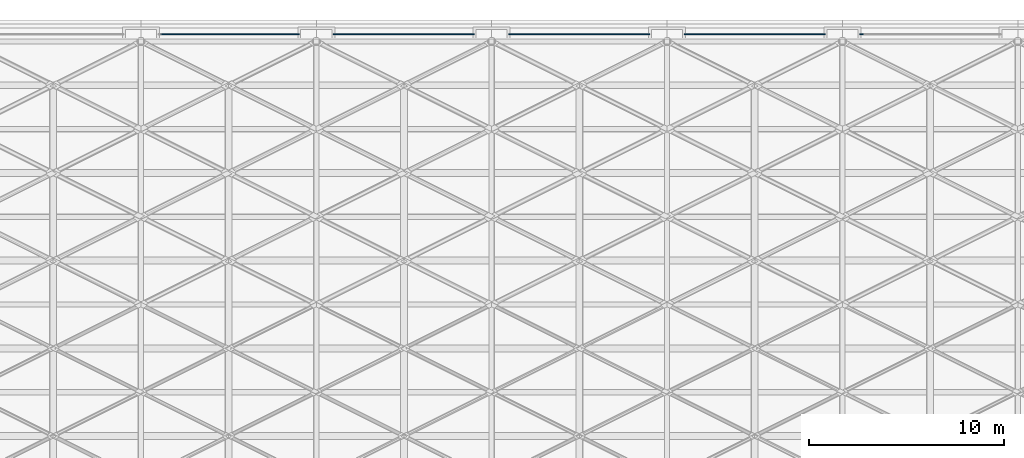
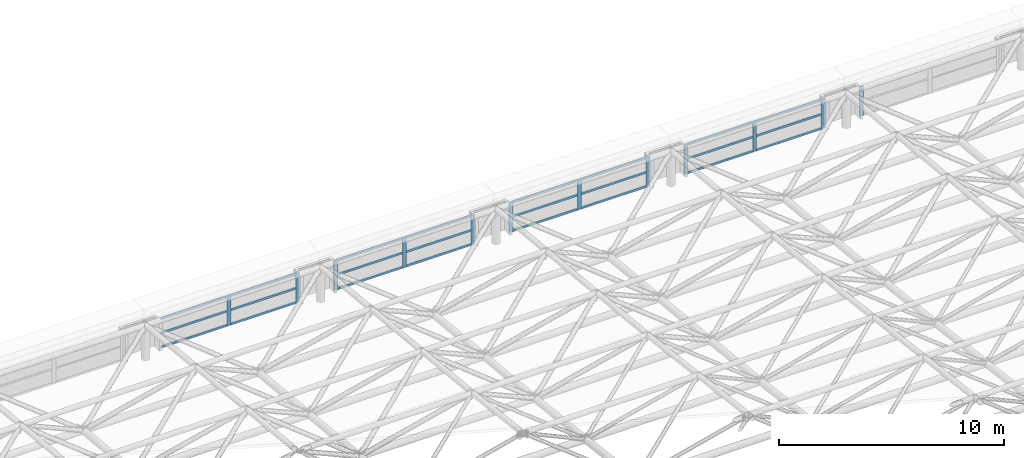
# One storey, part 21 of 53: 36 members, 5 elements without a shape of their own.
"""IFC4 building model written with IfcOpenShell, lengths in metres."""

from ifc_helpers import new_model, si_unit, direction, frame, origin, origin_2d, place, context, subcontext, project, spatial, rectangle, extrude, material, material_profile, profile_set, type_object, element, aggregate, save


model = new_model("IFC4")

# Units and contexts
model_context = context("Model", 3, precision=1e-05, world=origin(), true_north=direction((0.0, 1.0)))
body_context = subcontext(model_context, "Body", "Model", "MODEL_VIEW")
ifc_project = project(units=[si_unit("LENGTHUNIT", "METRE"), si_unit("AREAUNIT", "SQUARE_METRE"), si_unit("VOLUMEUNIT", "CUBIC_METRE"), si_unit("PLANEANGLEUNIT", "RADIAN"), si_unit("MASSUNIT", "GRAM", prefix="KILO")], contexts=[model_context])

# Site, building, storey
site_placement = place(None, origin())
site = spatial("IfcSite", under=ifc_project, at=site_placement, CompositionType="ELEMENT")
building_placement = place(site_placement, origin())
building = spatial("IfcBuilding", under=site, at=building_placement, Name="Aravalli Gate Trade Fair Centre", CompositionType="ELEMENT")
storey_placement = place(building_placement, frame((0.0, 0.0, 25.199951171875)))
storey = spatial("IfcBuildingStorey", under=building, at=storey_placement, Name="ROOF LEVEL 2", CompositionType="ELEMENT", Elevation=25.199951171875)

# Curtain wall, members
ifc_material_1 = material(Name="Aluminium, glass and louvre", Category="aluminium")
curtain_wall_type = type_object("IfcCurtainWallType", Name="Hall crown curtain wall 3000 module", PredefinedType="NOTDEFINED", material=ifc_material_1)
curtain_wall_1_placement = place(storey_placement, origin())
curtain_wall_1 = element("IfcCurtainWall", 1, at=curtain_wall_1_placement, inside=storey, type_object=curtain_wall_type, Name="Hall north crown curtain wall bay 5 ROOF LEVEL 2", PredefinedType="NOTDEFINED")
ifc_material_2 = material(Name="Aluminium", Category="aluminium")
ifc_material_profile_1 = material_profile(ifc_material_2, rectangle(XDim=0.06005859375, YDim=0.199951171875, at=origin_2d()), Name="Hall curtain wall mullion 60 x 200")
ifc_profile_set_1 = profile_set([ifc_material_profile_1], Name="Aluminium")
member_type_1 = type_object("IfcMemberType", Name="Hall curtain wall mullion 60 x 200", PredefinedType="MULLION", material=ifc_profile_set_1)
member_1_placement = place(storey_placement, frame((46.5, 109.375, 0.0), z_axis=(0.0, 0.0, 1.0), x_axis=(0.0, 1.0, 0.0)))
member_1 = element("IfcMember", 2, at=member_1_placement, type_object=member_type_1, Name="HCW1 mullion 2", PredefinedType="MULLION", context=body_context, shape_type="SweptSolid", body=[
    extrude(rectangle(XDim=0.06005859375, YDim=0.199951171875, at=origin_2d()), origin(), (0.0, 0.0, 1.0), 1.60009765625),
])
member_2_placement = place(storey_placement, frame((50.02001953125, 109.375, 0.0), z_axis=(0.0, 0.0, 1.0), x_axis=(0.0, 1.0, 0.0)))
member_2 = element("IfcMember", 3, at=member_2_placement, type_object=member_type_1, Name="HCW1 mullion 3", PredefinedType="MULLION", context=body_context, shape_type="SweptSolid", body=[
    extrude(rectangle(XDim=0.06005859375, YDim=0.199951171875, at=origin_2d()), origin(), (0.0, 0.0, 1.0), 1.60009765625),
])

curtain_wall_2_placement = place(storey_placement, origin())
curtain_wall_2 = element("IfcCurtainWall", 4, at=curtain_wall_2_placement, inside=storey, type_object=curtain_wall_type, Name="Hall north crown curtain wall bay 6 ROOF LEVEL 2", PredefinedType="NOTDEFINED")
member_3_placement = place(storey_placement, frame((51.97998046875, 109.375, 0.0), z_axis=(0.0, 0.0, 1.0), x_axis=(0.0, 1.0, 0.0)))
member_3 = element("IfcMember", 5, at=member_3_placement, type_object=member_type_1, Name="HCW1 mullion 1", PredefinedType="MULLION", context=body_context, shape_type="SweptSolid", body=[
    extrude(rectangle(XDim=0.06005859375, YDim=0.199951171875, at=origin_2d()), origin(), (0.0, 0.0, 1.0), 1.60009765625),
])
member_4_placement = place(storey_placement, frame((55.5, 109.375, 0.0), z_axis=(0.0, 0.0, 1.0), x_axis=(0.0, 1.0, 0.0)))
member_4 = element("IfcMember", 6, at=member_4_placement, type_object=member_type_1, Name="HCW1 mullion 2", PredefinedType="MULLION", context=body_context, shape_type="SweptSolid", body=[
    extrude(rectangle(XDim=0.06005859375, YDim=0.199951171875, at=origin_2d()), origin(), (0.0, 0.0, 1.0), 1.60009765625),
])
member_5_placement = place(storey_placement, frame((59.02001953125, 109.375, 0.0), z_axis=(0.0, 0.0, 1.0), x_axis=(0.0, 1.0, 0.0)))
member_5 = element("IfcMember", 7, at=member_5_placement, type_object=member_type_1, Name="HCW1 mullion 3", PredefinedType="MULLION", context=body_context, shape_type="SweptSolid", body=[
    extrude(rectangle(XDim=0.06005859375, YDim=0.199951171875, at=origin_2d()), origin(), (0.0, 0.0, 1.0), 1.60009765625),
])

curtain_wall_3_placement = place(storey_placement, origin())
curtain_wall_3 = element("IfcCurtainWall", 8, at=curtain_wall_3_placement, inside=storey, type_object=curtain_wall_type, Name="Hall north crown curtain wall bay 7 ROOF LEVEL 2", PredefinedType="NOTDEFINED")
member_6_placement = place(storey_placement, frame((60.97998046875, 109.375, 0.0), z_axis=(0.0, 0.0, 1.0), x_axis=(0.0, 1.0, 0.0)))
member_6 = element("IfcMember", 9, at=member_6_placement, type_object=member_type_1, Name="HCW1 mullion 1", PredefinedType="MULLION", context=body_context, shape_type="SweptSolid", body=[
    extrude(rectangle(XDim=0.06005859375, YDim=0.199951171875, at=origin_2d()), origin(), (0.0, 0.0, 1.0), 1.60009765625),
])
member_7_placement = place(storey_placement, frame((64.5, 109.375, 0.0), z_axis=(0.0, 0.0, 1.0), x_axis=(0.0, 1.0, 0.0)))
member_7 = element("IfcMember", 10, at=member_7_placement, type_object=member_type_1, Name="HCW1 mullion 2", PredefinedType="MULLION", context=body_context, shape_type="SweptSolid", body=[
    extrude(rectangle(XDim=0.06005859375, YDim=0.199951171875, at=origin_2d()), origin(), (0.0, 0.0, 1.0), 1.60009765625),
])
member_8_placement = place(storey_placement, frame((68.02001953125, 109.375, 0.0), z_axis=(0.0, 0.0, 1.0), x_axis=(0.0, 1.0, 0.0)))
member_8 = element("IfcMember", 11, at=member_8_placement, type_object=member_type_1, Name="HCW1 mullion 3", PredefinedType="MULLION", context=body_context, shape_type="SweptSolid", body=[
    extrude(rectangle(XDim=0.06005859375, YDim=0.199951171875, at=origin_2d()), origin(), (0.0, 0.0, 1.0), 1.60009765625),
])

curtain_wall_4_placement = place(storey_placement, origin())
curtain_wall_4 = element("IfcCurtainWall", 12, at=curtain_wall_4_placement, inside=storey, type_object=curtain_wall_type, Name="Hall north crown curtain wall bay 8 ROOF LEVEL 2", PredefinedType="NOTDEFINED")
member_9_placement = place(storey_placement, frame((69.97998046875, 109.375, 0.0), z_axis=(0.0, 0.0, 1.0), x_axis=(0.0, 1.0, 0.0)))
member_9 = element("IfcMember", 13, at=member_9_placement, type_object=member_type_1, Name="HCW1 mullion 1", PredefinedType="MULLION", context=body_context, shape_type="SweptSolid", body=[
    extrude(rectangle(XDim=0.06005859375, YDim=0.199951171875, at=origin_2d()), origin(), (0.0, 0.0, 1.0), 1.60009765625),
])
member_10_placement = place(storey_placement, frame((73.5, 109.375, 0.0), z_axis=(0.0, 0.0, 1.0), x_axis=(0.0, 1.0, 0.0)))
member_10 = element("IfcMember", 14, at=member_10_placement, type_object=member_type_1, Name="HCW1 mullion 2", PredefinedType="MULLION", context=body_context, shape_type="SweptSolid", body=[
    extrude(rectangle(XDim=0.06005859375, YDim=0.199951171875, at=origin_2d()), origin(), (0.0, 0.0, 1.0), 1.60009765625),
])
member_11_placement = place(storey_placement, frame((77.02001953125, 109.375, 0.0), z_axis=(0.0, 0.0, 1.0), x_axis=(0.0, 1.0, 0.0)))
member_11 = element("IfcMember", 15, at=member_11_placement, type_object=member_type_1, Name="HCW1 mullion 3", PredefinedType="MULLION", context=body_context, shape_type="SweptSolid", body=[
    extrude(rectangle(XDim=0.06005859375, YDim=0.199951171875, at=origin_2d()), origin(), (0.0, 0.0, 1.0), 1.60009765625),
])

# Curtain wall, member
curtain_wall_5_placement = place(storey_placement, origin())
curtain_wall_5 = element("IfcCurtainWall", 16, at=curtain_wall_5_placement, inside=storey, type_object=curtain_wall_type, Name="Hall north crown curtain wall bay 9 ROOF LEVEL 2", PredefinedType="NOTDEFINED")
member_12_placement = place(storey_placement, frame((78.97998046875, 109.375, 0.0), z_axis=(0.0, 0.0, 1.0), x_axis=(0.0, 1.0, 0.0)))
member_12 = element("IfcMember", 17, at=member_12_placement, type_object=member_type_1, Name="HCW1 mullion 1", PredefinedType="MULLION", context=body_context, shape_type="SweptSolid", body=[
    extrude(rectangle(XDim=0.06005859375, YDim=0.199951171875, at=origin_2d()), origin(), (0.0, 0.0, 1.0), 1.60009765625),
])
aggregate(curtain_wall_5, [member_12])

# Member
ifc_material_profile_2 = material_profile(ifc_material_2, rectangle(XDim=0.06005859375, YDim=0.1201171875, at=origin_2d()), Name="Hall curtain wall transom 60 x 120")
ifc_profile_set_2 = profile_set([ifc_material_profile_2], Name="Aluminium")
member_type_2 = type_object("IfcMemberType", Name="Hall curtain wall transom 60 x 120", PredefinedType="USERDEFINED", material=ifc_profile_set_2)
member_13_placement = place(storey_placement, frame((43.010009765625, 109.375, 0.030029296875), z_axis=(1.0, 0.0, 0.0), x_axis=(0.0, 1.0, 0.0)))
member_13 = element("IfcMember", 18, at=member_13_placement, type_object=member_type_2, Name="HCW1 transom 1.1", ObjectType="TRANSOM", PredefinedType="USERDEFINED", context=body_context, shape_type="SweptSolid", body=[
    extrude(rectangle(XDim=0.06005859375, YDim=0.1201171875, at=origin_2d()), origin(), (0.0, 0.0, 1.0), 3.4599609375),
])

member_14_placement = place(storey_placement, frame((43.010009765625, 109.375, 0.800048828125), z_axis=(1.0, 0.0, 0.0), x_axis=(0.0, 1.0, 0.0)))
member_14 = element("IfcMember", 19, at=member_14_placement, type_object=member_type_2, Name="HCW1 transom 1.2", ObjectType="TRANSOM", PredefinedType="USERDEFINED", context=body_context, shape_type="SweptSolid", body=[
    extrude(rectangle(XDim=0.06005859375, YDim=0.1201171875, at=origin_2d()), origin(), (0.0, 0.0, 1.0), 3.4599609375),
])

member_15_placement = place(storey_placement, frame((43.010009765625, 109.375, 1.570068359375), z_axis=(1.0, 0.0, 0.0), x_axis=(0.0, 1.0, 0.0)))
member_15 = element("IfcMember", 20, at=member_15_placement, type_object=member_type_2, Name="HCW1 transom 1.3", ObjectType="TRANSOM", PredefinedType="USERDEFINED", context=body_context, shape_type="SweptSolid", body=[
    extrude(rectangle(XDim=0.06005859375, YDim=0.1201171875, at=origin_2d()), origin(), (0.0, 0.0, 1.0), 3.4599609375),
])

member_16_placement = place(storey_placement, frame((46.530029296875, 109.375, 0.030029296875), z_axis=(1.0, 0.0, 0.0), x_axis=(0.0, 1.0, 0.0)))
member_16 = element("IfcMember", 21, at=member_16_placement, type_object=member_type_2, Name="HCW1 transom 2.1", ObjectType="TRANSOM", PredefinedType="USERDEFINED", context=body_context, shape_type="SweptSolid", body=[
    extrude(rectangle(XDim=0.06005859375, YDim=0.1201171875, at=origin_2d()), origin(), (0.0, 0.0, 1.0), 3.4599609375),
])

member_17_placement = place(storey_placement, frame((46.530029296875, 109.375, 0.800048828125), z_axis=(1.0, 0.0, 0.0), x_axis=(0.0, 1.0, 0.0)))
member_17 = element("IfcMember", 22, at=member_17_placement, type_object=member_type_2, Name="HCW1 transom 2.2", ObjectType="TRANSOM", PredefinedType="USERDEFINED", context=body_context, shape_type="SweptSolid", body=[
    extrude(rectangle(XDim=0.06005859375, YDim=0.1201171875, at=origin_2d()), origin(), (0.0, 0.0, 1.0), 3.4599609375),
])

member_18_placement = place(storey_placement, frame((46.530029296875, 109.375, 1.570068359375), z_axis=(1.0, 0.0, 0.0), x_axis=(0.0, 1.0, 0.0)))
member_18 = element("IfcMember", 23, at=member_18_placement, type_object=member_type_2, Name="HCW1 transom 2.3", ObjectType="TRANSOM", PredefinedType="USERDEFINED", context=body_context, shape_type="SweptSolid", body=[
    extrude(rectangle(XDim=0.06005859375, YDim=0.1201171875, at=origin_2d()), origin(), (0.0, 0.0, 1.0), 3.4599609375),
])

aggregate(curtain_wall_1, [member_1, member_2, member_13, member_14, member_15, member_16, member_17, member_18])

member_19_placement = place(storey_placement, frame((52.010009765625, 109.375, 0.030029296875), z_axis=(1.0, 0.0, 0.0), x_axis=(0.0, 1.0, 0.0)))
member_19 = element("IfcMember", 24, at=member_19_placement, type_object=member_type_2, Name="HCW1 transom 1.1", ObjectType="TRANSOM", PredefinedType="USERDEFINED", context=body_context, shape_type="SweptSolid", body=[
    extrude(rectangle(XDim=0.06005859375, YDim=0.1201171875, at=origin_2d()), origin(), (0.0, 0.0, 1.0), 3.4599609375),
])

member_20_placement = place(storey_placement, frame((52.010009765625, 109.375, 0.800048828125), z_axis=(1.0, 0.0, 0.0), x_axis=(0.0, 1.0, 0.0)))
member_20 = element("IfcMember", 25, at=member_20_placement, type_object=member_type_2, Name="HCW1 transom 1.2", ObjectType="TRANSOM", PredefinedType="USERDEFINED", context=body_context, shape_type="SweptSolid", body=[
    extrude(rectangle(XDim=0.06005859375, YDim=0.1201171875, at=origin_2d()), origin(), (0.0, 0.0, 1.0), 3.4599609375),
])

member_21_placement = place(storey_placement, frame((52.010009765625, 109.375, 1.570068359375), z_axis=(1.0, 0.0, 0.0), x_axis=(0.0, 1.0, 0.0)))
member_21 = element("IfcMember", 26, at=member_21_placement, type_object=member_type_2, Name="HCW1 transom 1.3", ObjectType="TRANSOM", PredefinedType="USERDEFINED", context=body_context, shape_type="SweptSolid", body=[
    extrude(rectangle(XDim=0.06005859375, YDim=0.1201171875, at=origin_2d()), origin(), (0.0, 0.0, 1.0), 3.4599609375),
])

member_22_placement = place(storey_placement, frame((55.530029296875, 109.375, 0.030029296875), z_axis=(1.0, 0.0, 0.0), x_axis=(0.0, 1.0, 0.0)))
member_22 = element("IfcMember", 27, at=member_22_placement, type_object=member_type_2, Name="HCW1 transom 2.1", ObjectType="TRANSOM", PredefinedType="USERDEFINED", context=body_context, shape_type="SweptSolid", body=[
    extrude(rectangle(XDim=0.06005859375, YDim=0.1201171875, at=origin_2d()), origin(), (0.0, 0.0, 1.0), 3.4599609375),
])

member_23_placement = place(storey_placement, frame((55.530029296875, 109.375, 0.800048828125), z_axis=(1.0, 0.0, 0.0), x_axis=(0.0, 1.0, 0.0)))
member_23 = element("IfcMember", 28, at=member_23_placement, type_object=member_type_2, Name="HCW1 transom 2.2", ObjectType="TRANSOM", PredefinedType="USERDEFINED", context=body_context, shape_type="SweptSolid", body=[
    extrude(rectangle(XDim=0.06005859375, YDim=0.1201171875, at=origin_2d()), origin(), (0.0, 0.0, 1.0), 3.4599609375),
])

member_24_placement = place(storey_placement, frame((55.530029296875, 109.375, 1.570068359375), z_axis=(1.0, 0.0, 0.0), x_axis=(0.0, 1.0, 0.0)))
member_24 = element("IfcMember", 29, at=member_24_placement, type_object=member_type_2, Name="HCW1 transom 2.3", ObjectType="TRANSOM", PredefinedType="USERDEFINED", context=body_context, shape_type="SweptSolid", body=[
    extrude(rectangle(XDim=0.06005859375, YDim=0.1201171875, at=origin_2d()), origin(), (0.0, 0.0, 1.0), 3.4599609375),
])

aggregate(curtain_wall_2, [member_3, member_4, member_5, member_19, member_20, member_21, member_22, member_23, member_24])

member_25_placement = place(storey_placement, frame((61.010009765625, 109.375, 0.030029296875), z_axis=(1.0, 0.0, 0.0), x_axis=(0.0, 1.0, 0.0)))
member_25 = element("IfcMember", 30, at=member_25_placement, type_object=member_type_2, Name="HCW1 transom 1.1", ObjectType="TRANSOM", PredefinedType="USERDEFINED", context=body_context, shape_type="SweptSolid", body=[
    extrude(rectangle(XDim=0.06005859375, YDim=0.1201171875, at=origin_2d()), origin(), (0.0, 0.0, 1.0), 3.4599609375),
])

member_26_placement = place(storey_placement, frame((61.010009765625, 109.375, 0.800048828125), z_axis=(1.0, 0.0, 0.0), x_axis=(0.0, 1.0, 0.0)))
member_26 = element("IfcMember", 31, at=member_26_placement, type_object=member_type_2, Name="HCW1 transom 1.2", ObjectType="TRANSOM", PredefinedType="USERDEFINED", context=body_context, shape_type="SweptSolid", body=[
    extrude(rectangle(XDim=0.06005859375, YDim=0.1201171875, at=origin_2d()), origin(), (0.0, 0.0, 1.0), 3.4599609375),
])

member_27_placement = place(storey_placement, frame((61.010009765625, 109.375, 1.570068359375), z_axis=(1.0, 0.0, 0.0), x_axis=(0.0, 1.0, 0.0)))
member_27 = element("IfcMember", 32, at=member_27_placement, type_object=member_type_2, Name="HCW1 transom 1.3", ObjectType="TRANSOM", PredefinedType="USERDEFINED", context=body_context, shape_type="SweptSolid", body=[
    extrude(rectangle(XDim=0.06005859375, YDim=0.1201171875, at=origin_2d()), origin(), (0.0, 0.0, 1.0), 3.4599609375),
])

member_28_placement = place(storey_placement, frame((64.530029296875, 109.375, 0.030029296875), z_axis=(1.0, 0.0, 0.0), x_axis=(0.0, 1.0, 0.0)))
member_28 = element("IfcMember", 33, at=member_28_placement, type_object=member_type_2, Name="HCW1 transom 2.1", ObjectType="TRANSOM", PredefinedType="USERDEFINED", context=body_context, shape_type="SweptSolid", body=[
    extrude(rectangle(XDim=0.06005859375, YDim=0.1201171875, at=origin_2d()), origin(), (0.0, 0.0, 1.0), 3.4599609375),
])

member_29_placement = place(storey_placement, frame((64.530029296875, 109.375, 0.800048828125), z_axis=(1.0, 0.0, 0.0), x_axis=(0.0, 1.0, 0.0)))
member_29 = element("IfcMember", 34, at=member_29_placement, type_object=member_type_2, Name="HCW1 transom 2.2", ObjectType="TRANSOM", PredefinedType="USERDEFINED", context=body_context, shape_type="SweptSolid", body=[
    extrude(rectangle(XDim=0.06005859375, YDim=0.1201171875, at=origin_2d()), origin(), (0.0, 0.0, 1.0), 3.4599609375),
])

member_30_placement = place(storey_placement, frame((64.530029296875, 109.375, 1.570068359375), z_axis=(1.0, 0.0, 0.0), x_axis=(0.0, 1.0, 0.0)))
member_30 = element("IfcMember", 35, at=member_30_placement, type_object=member_type_2, Name="HCW1 transom 2.3", ObjectType="TRANSOM", PredefinedType="USERDEFINED", context=body_context, shape_type="SweptSolid", body=[
    extrude(rectangle(XDim=0.06005859375, YDim=0.1201171875, at=origin_2d()), origin(), (0.0, 0.0, 1.0), 3.4599609375),
])

aggregate(curtain_wall_3, [member_6, member_7, member_8, member_25, member_26, member_27, member_28, member_29, member_30])

member_31_placement = place(storey_placement, frame((70.010009765625, 109.375, 0.030029296875), z_axis=(1.0, 0.0, 0.0), x_axis=(0.0, 1.0, 0.0)))
member_31 = element("IfcMember", 36, at=member_31_placement, type_object=member_type_2, Name="HCW1 transom 1.1", ObjectType="TRANSOM", PredefinedType="USERDEFINED", context=body_context, shape_type="SweptSolid", body=[
    extrude(rectangle(XDim=0.06005859375, YDim=0.1201171875, at=origin_2d()), origin(), (0.0, 0.0, 1.0), 3.4599609375),
])

member_32_placement = place(storey_placement, frame((70.010009765625, 109.375, 0.800048828125), z_axis=(1.0, 0.0, 0.0), x_axis=(0.0, 1.0, 0.0)))
member_32 = element("IfcMember", 37, at=member_32_placement, type_object=member_type_2, Name="HCW1 transom 1.2", ObjectType="TRANSOM", PredefinedType="USERDEFINED", context=body_context, shape_type="SweptSolid", body=[
    extrude(rectangle(XDim=0.06005859375, YDim=0.1201171875, at=origin_2d()), origin(), (0.0, 0.0, 1.0), 3.4599609375),
])

member_33_placement = place(storey_placement, frame((70.010009765625, 109.375, 1.570068359375), z_axis=(1.0, 0.0, 0.0), x_axis=(0.0, 1.0, 0.0)))
member_33 = element("IfcMember", 38, at=member_33_placement, type_object=member_type_2, Name="HCW1 transom 1.3", ObjectType="TRANSOM", PredefinedType="USERDEFINED", context=body_context, shape_type="SweptSolid", body=[
    extrude(rectangle(XDim=0.06005859375, YDim=0.1201171875, at=origin_2d()), origin(), (0.0, 0.0, 1.0), 3.4599609375),
])

member_34_placement = place(storey_placement, frame((73.530029296875, 109.375, 0.030029296875), z_axis=(1.0, 0.0, 0.0), x_axis=(0.0, 1.0, 0.0)))
member_34 = element("IfcMember", 39, at=member_34_placement, type_object=member_type_2, Name="HCW1 transom 2.1", ObjectType="TRANSOM", PredefinedType="USERDEFINED", context=body_context, shape_type="SweptSolid", body=[
    extrude(rectangle(XDim=0.06005859375, YDim=0.1201171875, at=origin_2d()), origin(), (0.0, 0.0, 1.0), 3.4599609375),
])

member_35_placement = place(storey_placement, frame((73.530029296875, 109.375, 0.800048828125), z_axis=(1.0, 0.0, 0.0), x_axis=(0.0, 1.0, 0.0)))
member_35 = element("IfcMember", 40, at=member_35_placement, type_object=member_type_2, Name="HCW1 transom 2.2", ObjectType="TRANSOM", PredefinedType="USERDEFINED", context=body_context, shape_type="SweptSolid", body=[
    extrude(rectangle(XDim=0.06005859375, YDim=0.1201171875, at=origin_2d()), origin(), (0.0, 0.0, 1.0), 3.4599609375),
])

member_36_placement = place(storey_placement, frame((73.530029296875, 109.375, 1.570068359375), z_axis=(1.0, 0.0, 0.0), x_axis=(0.0, 1.0, 0.0)))
member_36 = element("IfcMember", 41, at=member_36_placement, type_object=member_type_2, Name="HCW1 transom 2.3", ObjectType="TRANSOM", PredefinedType="USERDEFINED", context=body_context, shape_type="SweptSolid", body=[
    extrude(rectangle(XDim=0.06005859375, YDim=0.1201171875, at=origin_2d()), origin(), (0.0, 0.0, 1.0), 3.4599609375),
])

aggregate(curtain_wall_4, [member_9, member_10, member_11, member_31, member_32, member_33, member_34, member_35, member_36])

save(model, "model.ifc")
